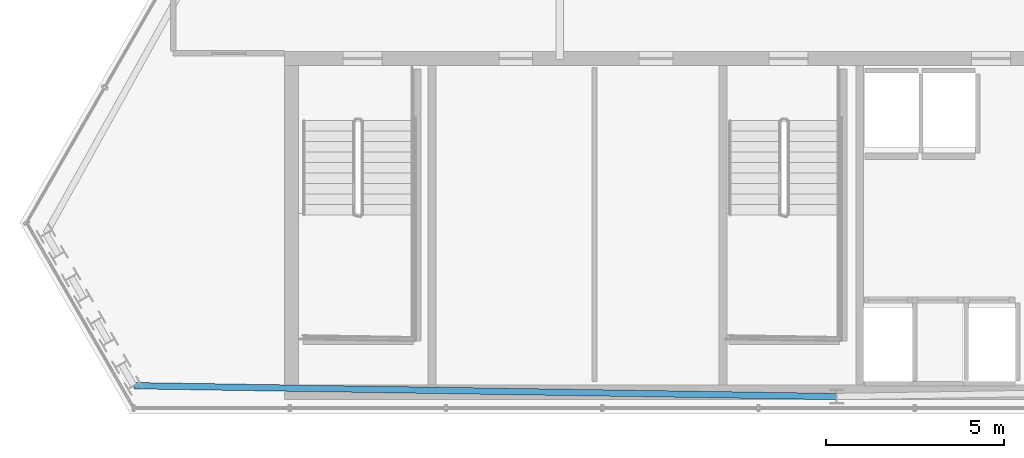
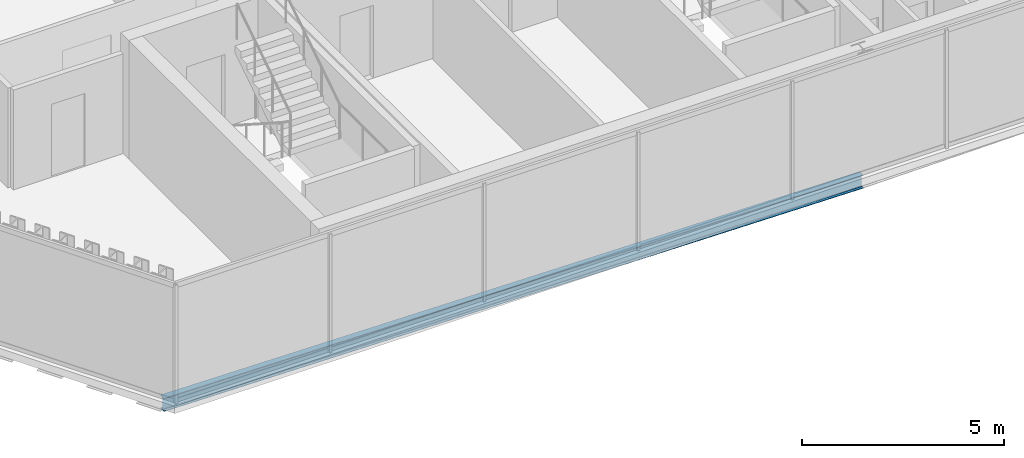
# One storey, part 4 of 32: 1 beam.
"""IFC4 building model written with IfcOpenShell, lengths in metres."""

from ifc_helpers import new_model, si_unit, direction, frame, origin, origin_2d, place, context, subcontext, project, spatial, i_section, extrude, material, material_profile, profile_set, type_object, element, save


model = new_model("IFC4")

# Units and contexts
model_context = context("Model", 3, precision=1e-05, world=origin(), true_north=direction((0.0, 1.0)))
body_context = subcontext(model_context, "Body", "Model", "MODEL_VIEW")
ifc_project = project(units=[si_unit("LENGTHUNIT", "METRE"), si_unit("AREAUNIT", "SQUARE_METRE"), si_unit("VOLUMEUNIT", "CUBIC_METRE"), si_unit("PLANEANGLEUNIT", "RADIAN"), si_unit("MASSUNIT", "GRAM", prefix="KILO")], contexts=[model_context])

# Site, building, storey
site_placement = place(None, origin())
site = spatial("IfcSite", under=ifc_project, at=site_placement, CompositionType="ELEMENT")
building_placement = place(site_placement, origin())
building = spatial("IfcBuilding", under=site, at=building_placement, Name="Ndaravel Arena Tower", CompositionType="ELEMENT")
storey_placement = place(building_placement, frame((0.0, 0.0, 256.0)))
storey = spatial("IfcBuildingStorey", under=building, at=storey_placement, Name="L62", CompositionType="ELEMENT", Elevation=256.0)

# Beam
ifc_material = material(Name="Steel S355", Category="steel")
ifc_material_profile = material_profile(ifc_material, i_section(OverallWidth=0.179931640625, OverallDepth=0.39990234375, WebThickness=0.008544921875, FlangeThickness=0.013427734375, FilletRadius=0.02099609375, at=origin_2d()), Name="IPE 400")
ifc_profile_set = profile_set([ifc_material_profile], Name="Steel S355")
beam_type = type_object("IfcBeamType", Name="BM-SPAN-IPE400", PredefinedType="SPANDREL", material=ifc_profile_set)
beam_placement = place(storey_placement, frame((22.205078125, 5.7861328125, -0.419921875), z_axis=(0.999880419685, -0.015464356762, 0.0), x_axis=(0.015464356762, 0.999880419685, 0.0)))
element("IfcBeam", 1, at=beam_placement, inside=storey, type_object=beam_type, Name="L62 Perimeter Spandrel Beam SP-27", PredefinedType="SPANDREL", context=body_context, shape_type="SweptSolid", body=[
    extrude(i_section(OverallWidth=0.179931640625, OverallDepth=0.39990234375, WebThickness=0.008544921875, FlangeThickness=0.013427734375, FilletRadius=0.02099609375, at=origin_2d()), origin(), (0.0, 0.0, 1.0), 19.79736328125),
])

save(model, "model.ifc")
